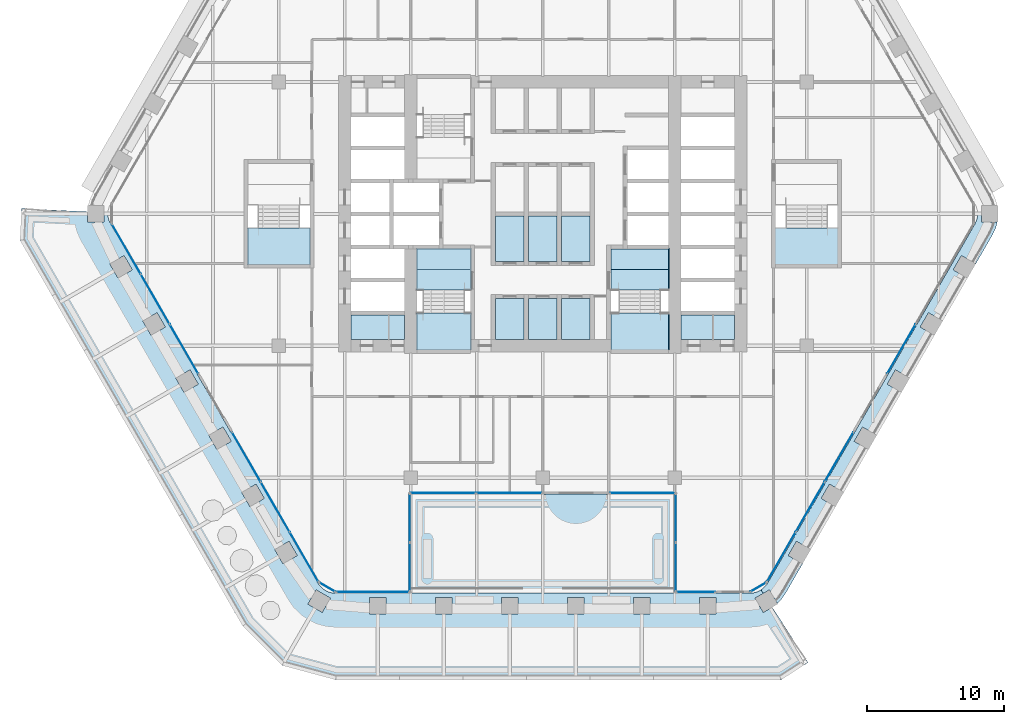
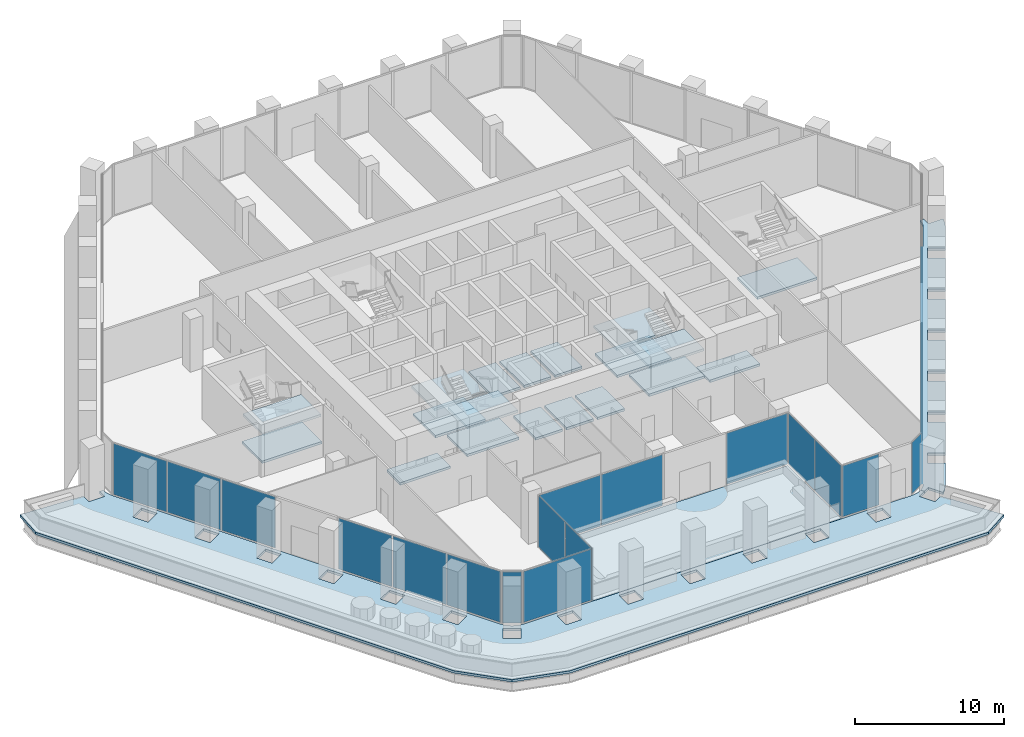
# One storey, part 13 of 27: 24 slabs, 21 plates, 16 elements without a shape of their own.
"""IFC4 building model written with IfcOpenShell, lengths in metres."""

import ifcopenshell
import ifcopenshell.guid

model = None  # the IFC model being written
_history = None  # IfcOwnerHistory: only IFC2X3 demands one
_inside = {}  # id of a spatial element -> (the spatial element, [elements in it])
_under = {}  # id of a project, library or spatial element -> (it, [spatial elements below it])
_declared = {}  # id of a project -> (the project, [libraries it declares])
_typed = {}  # id of a type object -> (the type object, [elements of that type])
_made_of = {}  # id of a material, layer set ... -> (it, [elements and type objects made of it])


def new_model(schema):
    """Start an empty IFC model of exactly this schema.

    Asked for "IFC4X3", IfcOpenShell would pick the latest addendum, in which some entities
    have other attributes; the version numbers below select the first issue.
    IFC2X3 requires an IfcOwnerHistory on every rooted entity: one is made here for all.
    """
    global model, _history
    if schema == "IFC4X3":
        model = ifcopenshell.file(schema_version=(4, 3, 0, 0))
    else:
        model = ifcopenshell.file(schema=schema)
    _inside.clear()
    _under.clear()
    _declared.clear()
    _typed.clear()
    _made_of.clear()
    _history = None
    if model.schema == "IFC2X3":
        org = make("IfcOrganization", Name="unknown")
        user = make(
            "IfcPersonAndOrganization",
            ThePerson=make("IfcPerson", FamilyName="unknown"),
            TheOrganization=org,
        )
        app = make(
            "IfcApplication",
            ApplicationDeveloper=org,
            Version="unknown",
            ApplicationFullName="unknown",
            ApplicationIdentifier="unknown",
        )
        _history = make(
            "IfcOwnerHistory",
            OwningUser=user,
            OwningApplication=app,
            ChangeAction="ADDED",
            CreationDate=0,
        )
    return model


def make(cls, **values):
    """One entity of the class cls with the attributes given. An attribute that is None is left unset."""
    return model.create_entity(
        cls, **{name: value for name, value in values.items() if value is not None}
    )


def rooted(cls, **values):
    """An entity with a GlobalId (a new one), such as an element, a storey or a relation."""
    return make(cls, GlobalId=ifcopenshell.guid.new(), OwnerHistory=_history, **values)


def si_unit(unit_type, name, prefix=None):
    """IfcSIUnit, for example si_unit("LENGTHUNIT", "METRE", prefix="MILLI")."""
    return make("IfcSIUnit", UnitType=unit_type, Prefix=prefix, Name=name)


def assignment(units):
    """IfcUnitAssignment: the units of a project."""
    return None if units is None else make("IfcUnitAssignment", Units=units)


def point(xyz):
    """IfcCartesianPoint."""
    return None if xyz is None else make("IfcCartesianPoint", Coordinates=xyz)


def direction(xyz):
    """IfcDirection."""
    return None if xyz is None else make("IfcDirection", DirectionRatios=xyz)


def frame(location, z_axis=None, x_axis=None):
    """IfcAxis2Placement3D, a coordinate frame: its origin and axes. An axis left out is left unset."""
    return make(
        "IfcAxis2Placement3D",
        Location=point(location),
        Axis=direction(z_axis),
        RefDirection=direction(x_axis),
    )


def frame_2d(location, x_axis=None):
    """IfcAxis2Placement2D, a coordinate frame in the plane: its origin and x axis."""
    return make(
        "IfcAxis2Placement2D", Location=point(location), RefDirection=direction(x_axis)
    )


def origin():
    """The frame at (0, 0, 0) with its axes left unset."""
    return frame((0.0, 0.0, 0.0))


def origin_2d():
    """The frame at (0, 0) in the plane with its x axis left unset."""
    return frame_2d((0.0, 0.0))


def place(relative_to, where):
    """IfcLocalPlacement: puts the frame where relative to a parent placement (None: the world)."""
    return make(
        "IfcLocalPlacement", PlacementRelTo=relative_to, RelativePlacement=where
    )


def context(
    kind, dimensions, precision=None, world=None, true_north=None, identifier=None
):
    """IfcGeometricRepresentationContext, for example the 3D "Model" context."""
    return make(
        "IfcGeometricRepresentationContext",
        ContextIdentifier=identifier,
        ContextType=kind,
        CoordinateSpaceDimension=dimensions,
        Precision=precision,
        WorldCoordinateSystem=world,
        TrueNorth=true_north,
    )


def subcontext(parent, identifier, kind, view, scale=None):
    """IfcGeometricRepresentationSubContext, for example "Body" below "Model"."""
    return make(
        "IfcGeometricRepresentationSubContext",
        ContextIdentifier=identifier,
        ContextType=kind,
        ParentContext=parent,
        TargetScale=scale,
        TargetView=view,
    )


def project(units=None, contexts=None):
    """IfcProject with its units and contexts."""
    return rooted(
        "IfcProject",
        Name="project",
        RepresentationContexts=contexts,
        UnitsInContext=assignment(units),
    )


def spatial(cls, under=None, at=None, **own):
    """A site, building, storey or space (cls), placed at a placement, below another one or the project."""
    s = rooted(cls, ObjectPlacement=at, **own)
    if under is not None:
        _under.setdefault(under.id(), (under, []))[1].append(s)
    return s


def polyline(points):
    """IfcPolyline through the points."""
    return make("IfcPolyline", Points=[point(p) for p in points])


def profile(cls, at=None, kind="AREA", **sizes):
    """A parametric profile (cls). Its sizes go by their IFC names, for example OverallWidth=200.0."""
    return make(cls, ProfileType=kind, Position=at, **sizes)


def rectangle(**sizes):
    """IfcRectangleProfileDef."""
    return profile("IfcRectangleProfileDef", **sizes)


def outline(outer, holes=None, kind="AREA"):
    """IfcArbitraryClosedProfileDef: a profile drawn as a closed curve; with holes, ...WithVoids."""
    if holes is None:
        return make("IfcArbitraryClosedProfileDef", ProfileType=kind, OuterCurve=outer)
    return make(
        "IfcArbitraryProfileDefWithVoids",
        ProfileType=kind,
        OuterCurve=outer,
        InnerCurves=holes,
    )


def extrude(swept, where, along, depth):
    """IfcExtrudedAreaSolid: the profile swept, set in the frame where, extruded along a direction by depth."""
    return make(
        "IfcExtrudedAreaSolid",
        SweptArea=swept,
        Position=where,
        ExtrudedDirection=direction(along),
        Depth=depth,
    )


def shape(context_of_items, identifier, shape_type, items):
    """IfcShapeRepresentation: the items that make up one representation, for example the "Body"."""
    return make(
        "IfcShapeRepresentation",
        ContextOfItems=context_of_items,
        RepresentationIdentifier=identifier,
        RepresentationType=shape_type,
        Items=items,
    )


def material(Name=None, Category=None):
    """IfcMaterial."""
    return make("IfcMaterial", Name=Name, Category=Category)


def layer(
    of_material, thickness, ventilated=None, Name=None, Category=None, Priority=None
):
    """IfcMaterialLayer: one layer of a wall or slab, of a material (None: an air gap)."""
    return make(
        "IfcMaterialLayer",
        Material=of_material,
        LayerThickness=thickness,
        IsVentilated=ventilated,
        Name=Name,
        Category=Category,
        Priority=Priority,
    )


def layer_set(layers, Name=None):
    """IfcMaterialLayerSet."""
    return make("IfcMaterialLayerSet", MaterialLayers=layers, LayerSetName=Name)


def made_of(thing, what):
    """Note that an element or type object is made of a material, layer set ...; save() writes the relation."""
    if what is not None:
        _made_of.setdefault(what.id(), (what, []))[1].append(thing)
    return thing


def type_object(cls, material=None, **own):
    """A type object (cls), such as IfcWallType, which elements share."""
    return made_of(rooted(cls, **own), material)


def element(
    cls,
    number,
    at=None,
    inside=None,
    cuts=None,
    type_object=None,
    material=None,
    context=None,
    identifier="Body",
    shape_type=None,
    held_by="IfcProductDefinitionShape",
    body=None,
    shapes=None,
    **own,
):
    """One element of the class cls, such as IfcWall. Its Tag is "e" and its number.

    at: its placement. inside: the storey or other place that contains it. cuts: it is an
    opening in that element (IfcRelVoidsElement). A single representation is given by context,
    identifier, shape_type and body (its items); several are given by shapes. held_by: the class
    of the entity that holds the representations. save() writes the other relations.
    """
    e = rooted(cls, Tag="e%d" % number, ObjectPlacement=at, **own)
    if body is not None:
        shapes = [shape(context, identifier, shape_type, body)]
    if shapes is not None:
        e.Representation = make(held_by, Representations=shapes)
    if inside is not None:
        _inside.setdefault(inside.id(), (inside, []))[1].append(e)
    if cuts is not None:
        rooted(
            "IfcRelVoidsElement", RelatingBuildingElement=cuts, RelatedOpeningElement=e
        )
    if type_object is not None:
        _typed.setdefault(type_object.id(), (type_object, []))[1].append(e)
    return made_of(e, material)


def aggregate(whole, parts):
    """IfcRelAggregates: a whole, such as a stair, and the parts it consists of."""
    return rooted("IfcRelAggregates", RelatingObject=whole, RelatedObjects=parts)


def save(model, path):
    """Write the relations noted so far, then the file.

    IfcRelAggregates (storeys below a building ...), IfcRelContainedInSpatialStructure (elements
    in a storey), IfcRelDefinesByType, IfcRelAssociatesMaterial and IfcRelDeclares: one each for
    every whole, place, type object, material and project.
    """
    for whole, parts in _under.values():
        aggregate(whole, parts)
    for where, things in _inside.values():
        rooted(
            "IfcRelContainedInSpatialStructure",
            RelatedElements=things,
            RelatingStructure=where,
        )
    for kind, things in _typed.values():
        rooted("IfcRelDefinesByType", RelatedObjects=things, RelatingType=kind)
    for what, things in _made_of.values():
        rooted("IfcRelAssociatesMaterial", RelatedObjects=things, RelatingMaterial=what)
    for by, libraries in _declared.values():
        rooted("IfcRelDeclares", RelatingContext=by, RelatedDefinitions=libraries)
    model.write(path)


model = new_model("IFC4")

# Units and contexts
model_context = context("Model", 3, precision=1e-05, world=origin(), true_north=direction((0.0, 1.0)))
body_context = subcontext(model_context, "Body", "Model", "MODEL_VIEW")
ifc_project = project(units=[si_unit("LENGTHUNIT", "METRE"), si_unit("AREAUNIT", "SQUARE_METRE"), si_unit("VOLUMEUNIT", "CUBIC_METRE"), si_unit("PLANEANGLEUNIT", "RADIAN"), si_unit("MASSUNIT", "GRAM", prefix="KILO")], contexts=[model_context])

# Site, building, storey
site_placement = place(None, origin())
site = spatial("IfcSite", under=ifc_project, at=site_placement, CompositionType="ELEMENT")
building_placement = place(site_placement, origin())
building = spatial("IfcBuilding", under=site, at=building_placement, Name="Kolab Exchange Tower", CompositionType="ELEMENT")
storey_placement = place(building_placement, frame((0.0, 0.0, 109.39990234375)))
storey = spatial("IfcBuildingStorey", under=building, at=storey_placement, Name="L21", CompositionType="ELEMENT", Elevation=109.39990234375)

# Slabs
ifc_material_1 = material(Name="Concrete C35/45", Category="concrete")
ifc_layer_1 = layer(ifc_material_1, 0.199951171875)
ifc_layer_set_1 = layer_set([ifc_layer_1], Name="Concrete C35/45")
slab_type_1 = type_object("IfcSlabType", Name="FLOOR SLAB 200", PredefinedType="FLOOR", material=ifc_layer_set_1)
slab_1_placement = place(storey_placement, frame((0.0, 0.0, -0.199951171875)))
element("IfcSlab", 1, at=slab_1_placement, inside=storey, type_object=slab_type_1, Name="slab/L21/floor/2", PredefinedType="FLOOR", context=body_context, shape_type="SweptSolid", body=[
    extrude(outline(polyline([(-10.050048828125, -9.14990234375), (-10.050048828125, -7.35009765625), (-13.949951171875, -7.35009765625), (-13.949951171875, -9.14990234375), (-10.050048828125, -9.14990234375)])), origin(), (0.0, 0.0, 1.0), 0.199951171875),
])
slab_2_placement = place(storey_placement, frame((0.0, 0.0, -0.199951171875)))
element("IfcSlab", 2, at=slab_2_placement, inside=storey, type_object=slab_type_1, Name="slab/L21/floor/4", PredefinedType="FLOOR", context=body_context, shape_type="SweptSolid", body=[
    extrude(outline(polyline([(10.050048828125, -9.14990234375), (13.949951171875, -9.14990234375), (13.949951171875, -7.35009765625), (10.050048828125, -7.35009765625), (10.050048828125, -9.14990234375)])), origin(), (0.0, 0.0, 1.0), 0.199951171875),
])
slab_3_placement = place(storey_placement, frame((0.0, 0.0, -0.199951171875)))
element("IfcSlab", 3, at=slab_3_placement, inside=storey, type_object=slab_type_1, Name="slab/L21/floor/6", PredefinedType="FLOOR", context=body_context, shape_type="SweptSolid", body=[
    extrude(outline(polyline([(-1.35009765625, -3.449951171875), (-1.35009765625, -0.14990234375), (-3.449951171875, -0.14990234375), (-3.449951171875, -3.449951171875), (-1.35009765625, -3.449951171875)])), origin(), (0.0, 0.0, 1.0), 0.199951171875),
])
slab_4_placement = place(storey_placement, frame((0.0, 0.0, -0.199951171875)))
element("IfcSlab", 4, at=slab_4_placement, inside=storey, type_object=slab_type_1, Name="slab/L21/floor/8", PredefinedType="FLOOR", context=body_context, shape_type="SweptSolid", body=[
    extrude(outline(polyline([(-1.050048828125, -0.14990234375), (-1.050048828125, -3.449951171875), (1.050048828125, -3.449951171875), (1.050048828125, -0.14990234375), (-1.050048828125, -0.14990234375)])), origin(), (0.0, 0.0, 1.0), 0.199951171875),
])
slab_5_placement = place(storey_placement, frame((0.0, 0.0, -0.199951171875)))
element("IfcSlab", 5, at=slab_5_placement, inside=storey, type_object=slab_type_1, Name="slab/L21/floor/10", PredefinedType="FLOOR", context=body_context, shape_type="SweptSolid", body=[
    extrude(outline(polyline([(1.35009765625, -3.449951171875), (3.449951171875, -3.449951171875), (3.449951171875, -0.14990234375), (1.35009765625, -0.14990234375), (1.35009765625, -3.449951171875)])), origin(), (0.0, 0.0, 1.0), 0.199951171875),
])
slab_6_placement = place(storey_placement, frame((0.0, 0.0, -0.199951171875)))
element("IfcSlab", 6, at=slab_6_placement, inside=storey, type_object=slab_type_1, Name="slab/L21/floor/14", PredefinedType="FLOOR", context=body_context, shape_type="SweptSolid", body=[
    extrude(outline(polyline([(-1.35009765625, -6.14990234375), (-3.449951171875, -6.14990234375), (-3.449951171875, -9.14990234375), (-1.35009765625, -9.14990234375), (-1.35009765625, -6.14990234375)])), origin(), (0.0, 0.0, 1.0), 0.199951171875),
])
slab_7_placement = place(storey_placement, frame((0.0, 0.0, -0.199951171875)))
element("IfcSlab", 7, at=slab_7_placement, inside=storey, type_object=slab_type_1, Name="slab/L21/floor/16", PredefinedType="FLOOR", context=body_context, shape_type="SweptSolid", body=[
    extrude(outline(polyline([(1.050048828125, -6.14990234375), (-1.050048828125, -6.14990234375), (-1.050048828125, -9.14990234375), (1.050048828125, -9.14990234375), (1.050048828125, -6.14990234375)])), origin(), (0.0, 0.0, 1.0), 0.199951171875),
])
slab_8_placement = place(storey_placement, frame((0.0, 0.0, -0.199951171875)))
element("IfcSlab", 8, at=slab_8_placement, inside=storey, type_object=slab_type_1, Name="slab/L21/floor/18", PredefinedType="FLOOR", context=body_context, shape_type="SweptSolid", body=[
    extrude(outline(polyline([(1.35009765625, -6.14990234375), (1.35009765625, -9.14990234375), (3.449951171875, -9.14990234375), (3.449951171875, -6.14990234375), (1.35009765625, -6.14990234375)])), origin(), (0.0, 0.0, 1.0), 0.199951171875),
])
slab_9_placement = place(storey_placement, frame((0.0, 0.0, -0.199951171875)))
element("IfcSlab", 9, at=slab_9_placement, inside=storey, type_object=slab_type_1, Name="slab/L21/floor/20", PredefinedType="FLOOR", context=body_context, shape_type="SweptSolid", body=[
    extrude(outline(polyline([(4.949951171875, -4.050048828125), (9.14990234375, -4.050048828125), (9.14990234375, -2.550048828125), (6.14990234375, -2.550048828125), (5.85009765625, -2.550048828125), (4.949951171875, -2.550048828125), (4.949951171875, -4.050048828125)])), origin(), (0.0, 0.0, 1.0), 0.199951171875),
])
slab_10_placement = place(storey_placement, frame((0.0, 0.0, -0.199951171875)))
element("IfcSlab", 10, at=slab_10_placement, inside=storey, type_object=slab_type_1, Name="slab/L21/floor/21", PredefinedType="FLOOR", context=body_context, shape_type="SweptSolid", body=[
    extrude(outline(polyline([(-9.14990234375, -2.550048828125), (-9.14990234375, -4.050048828125), (-5.25, -4.050048828125), (-5.25, -2.550048828125), (-7.25, -2.550048828125), (-7.550048828125, -2.550048828125), (-9.14990234375, -2.550048828125)])), origin(), (0.0, 0.0, 1.0), 0.199951171875),
])
ifc_layer_2 = layer(ifc_material_1, 0.199951171875)
ifc_layer_set_2 = layer_set([ifc_layer_2], Name="Concrete C35/45")
slab_type_2 = type_object("IfcSlabType", Name="LOGGIA SLAB 200", PredefinedType="FLOOR", material=ifc_layer_set_2)
slab_11_placement = place(storey_placement, frame((0.0, 0.0, -0.199951171875)))
element("IfcSlab", 11, at=slab_11_placement, inside=storey, type_object=slab_type_2, Name="slab/L21/loggia/2-0", PredefinedType="FLOOR", context=body_context, shape_type="SweptSolid", body=[
    extrude(outline(polyline([(17.365966796875, -28.02685546875), (17.666015625, -27.598388671875), (18.89990234375, -25.461181640625), (17.86083984375, -24.861083984375), (18.460693359375, -23.822021484375), (19.5, -24.421875), (21.300048828125, -21.30419921875), (20.2607421875, -20.704345703125), (20.86083984375, -19.6650390625), (21.89990234375, -20.264892578125), (23.699951171875, -17.147216796875), (22.660888671875, -16.54736328125), (23.2607421875, -15.508056640625), (24.300048828125, -16.108154296875), (26.10009765625, -12.990478515625), (25.060791015625, -12.390380859375), (25.660888671875, -11.35107421875), (26.699951171875, -11.951171875), (28.5, -8.83349609375), (27.460693359375, -8.2333984375), (28.060791015625, -7.1943359375), (29.10009765625, -7.794189453125), (30.89990234375, -4.676513671875), (29.86083984375, -4.076416015625), (30.460693359375, -3.037353515625), (31.5, -3.63720703125), (32.73388671875, -1.5), (32.955078125, -1.026123046875), (33.069091796875, -0.60009765625), (31.935791015625, -0.60009765625), (31.935791015625, 0.0), (31.635986328125, 0.0), (31.613037109375, -0.260498046875), (31.54541015625, -0.512939453125), (31.434814453125, -0.75), (16.366943359375, -26.848388671875), (16.217041015625, -27.062744140625), (16.0322265625, -27.24755859375), (15.880126953125, -27.35400390625), (16.046875, -27.61181640625), (16.487548828125, -27.357177734375), (17.05419921875, -28.338623046875), (17.365966796875, -28.02685546875)])), origin(), (0.0, 0.0, 1.0), 0.199951171875),
])

# Stair, slabs
ifc_material_2 = material(Name="Concrete C50/60", Category="concrete")
stair_type_1 = type_object("IfcStairType", Name="STAIR ST3 RISER 160.7", PredefinedType="DOUBLE_RETURN_STAIR", material=ifc_material_2)
stair_1_placement = place(storey_placement, origin())
stair_1 = element("IfcStair", 12, at=stair_1_placement, inside=storey, type_object=stair_type_1, Name="Stair 3", PredefinedType="DOUBLE_RETURN_STAIR")
ifc_layer_3 = layer(ifc_material_2, 0.199951171875)
ifc_layer_set_3 = layer_set([ifc_layer_3], Name="Concrete C50/60")
slab_type_3 = type_object("IfcSlabType", Name="STAIR LANDING 200", PredefinedType="LANDING", material=ifc_layer_set_3)
slab_12_placement = place(storey_placement, frame((0.0, 0.0, -0.199951171875)))
slab_12 = element("IfcSlab", 13, at=slab_12_placement, type_object=slab_type_3, Name="ST3 landing 1", PredefinedType="LANDING", context=body_context, shape_type="SweptSolid", body=[
    extrude(outline(polyline([(-9.14990234375, -5.550048828125), (-5.25, -5.550048828125), (-5.25, -4.050048828125), (-9.14990234375, -4.050048828125), (-9.14990234375, -5.550048828125)])), origin(), (0.0, 0.0, 1.0), 0.199951171875),
])
slab_13_placement = place(storey_placement, frame((0.0, 0.0, 0.925048828125)))
slab_13 = element("IfcSlab", 14, at=slab_13_placement, type_object=slab_type_3, Name="ST3 landing 2", PredefinedType="LANDING", context=body_context, shape_type="SweptSolid", body=[
    extrude(outline(polyline([(-9.2099609375, -9.909912109375), (-5.18994140625, -9.909912109375), (-5.18994140625, -7.22998046875), (-9.2099609375, -7.22998046875), (-9.2099609375, -9.909912109375)])), origin(), (0.0, 0.0, 1.0), 0.199951171875),
])
slab_14_placement = place(storey_placement, frame((0.0, 0.0, 2.050048828125)))
slab_14 = element("IfcSlab", 15, at=slab_14_placement, type_object=slab_type_3, Name="ST3 landing 3", PredefinedType="LANDING", context=body_context, shape_type="SweptSolid", body=[
    extrude(outline(polyline([(-9.2099609375, -5.550048828125), (-5.18994140625, -5.550048828125), (-5.18994140625, -2.489990234375), (-9.2099609375, -2.489990234375), (-9.2099609375, -5.550048828125)])), origin(), (0.0, 0.0, 1.0), 0.199951171875),
])
slab_15_placement = place(storey_placement, frame((0.0, 0.0, 3.175048828125)))
slab_15 = element("IfcSlab", 16, at=slab_15_placement, type_object=slab_type_3, Name="ST3 landing 4", PredefinedType="LANDING", context=body_context, shape_type="SweptSolid", body=[
    extrude(outline(polyline([(-9.14990234375, -9.909912109375), (-5.25, -9.909912109375), (-5.25, -7.22998046875), (-9.14990234375, -7.22998046875), (-9.14990234375, -9.909912109375)])), origin(), (0.0, 0.0, 1.0), 0.199951171875),
])
aggregate(stair_1, [slab_12, slab_13, slab_14, slab_15])

stair_type_2 = type_object("IfcStairType", Name="STAIR ST2 RISER 160.7", PredefinedType="DOUBLE_RETURN_STAIR", material=ifc_material_2)
stair_2_placement = place(storey_placement, origin())
stair_2 = element("IfcStair", 17, at=stair_2_placement, inside=storey, type_object=stair_type_2, Name="Stair 2", PredefinedType="DOUBLE_RETURN_STAIR")
slab_16_placement = place(storey_placement, frame((0.0, 0.0, -0.199951171875)))
slab_16 = element("IfcSlab", 18, at=slab_16_placement, type_object=slab_type_3, Name="ST2 landing 1", PredefinedType="LANDING", context=body_context, shape_type="SweptSolid", body=[
    extrude(outline(polyline([(4.949951171875, -5.550048828125), (9.14990234375, -5.550048828125), (9.14990234375, -4.050048828125), (4.949951171875, -4.050048828125), (4.949951171875, -5.550048828125)])), origin(), (0.0, 0.0, 1.0), 0.199951171875),
])
slab_17_placement = place(storey_placement, frame((0.0, 0.0, 0.925048828125)))
slab_17 = element("IfcSlab", 19, at=slab_17_placement, type_object=slab_type_3, Name="ST2 landing 2", PredefinedType="LANDING", context=body_context, shape_type="SweptSolid", body=[
    extrude(outline(polyline([(4.889892578125, -9.909912109375), (9.2099609375, -9.909912109375), (9.2099609375, -7.22998046875), (4.889892578125, -7.22998046875), (4.889892578125, -9.909912109375)])), origin(), (0.0, 0.0, 1.0), 0.199951171875),
])
slab_18_placement = place(storey_placement, frame((0.0, 0.0, 2.050048828125)))
slab_18 = element("IfcSlab", 20, at=slab_18_placement, type_object=slab_type_3, Name="ST2 landing 3", PredefinedType="LANDING", context=body_context, shape_type="SweptSolid", body=[
    extrude(outline(polyline([(4.889892578125, -5.550048828125), (9.2099609375, -5.550048828125), (9.2099609375, -2.489990234375), (4.889892578125, -2.489990234375), (4.889892578125, -5.550048828125)])), origin(), (0.0, 0.0, 1.0), 0.199951171875),
])
slab_19_placement = place(storey_placement, frame((0.0, 0.0, 3.175048828125)))
slab_19 = element("IfcSlab", 21, at=slab_19_placement, type_object=slab_type_3, Name="ST2 landing 4", PredefinedType="LANDING", context=body_context, shape_type="SweptSolid", body=[
    extrude(outline(polyline([(4.949951171875, -9.909912109375), (9.14990234375, -9.909912109375), (9.14990234375, -7.22998046875), (4.949951171875, -7.22998046875), (4.949951171875, -9.909912109375)])), origin(), (0.0, 0.0, 1.0), 0.199951171875),
])
aggregate(stair_2, [slab_16, slab_17, slab_18, slab_19])

# Stair, slab
stair_type_3 = type_object("IfcStairType", Name="STAIR ST4 RISER 160.7", PredefinedType="DOUBLE_RETURN_STAIR", material=ifc_material_2)
stair_3_placement = place(storey_placement, origin())
stair_3 = element("IfcStair", 22, at=stair_3_placement, inside=storey, type_object=stair_type_3, Name="Stair 4", PredefinedType="DOUBLE_RETURN_STAIR")
slab_20_placement = place(storey_placement, frame((0.0, 0.0, 0.925048828125)))
slab_20 = element("IfcSlab", 23, at=slab_20_placement, type_object=slab_type_3, Name="ST4 landing 2", PredefinedType="LANDING", context=body_context, shape_type="SweptSolid", body=[
    extrude(outline(polyline([(16.889892578125, -3.7099609375), (21.510009765625, -3.7099609375), (21.510009765625, -1.030029296875), (16.889892578125, -1.030029296875), (16.889892578125, -3.7099609375)])), origin(), (0.0, 0.0, 1.0), 0.199951171875),
])
aggregate(stair_3, [slab_20])

# Stair, slabs
stair_type_4 = type_object("IfcStairType", Name="STAIR ST5 RISER 160.7", PredefinedType="DOUBLE_RETURN_STAIR", material=ifc_material_2)
stair_4_placement = place(storey_placement, origin())
stair_4 = element("IfcStair", 24, at=stair_4_placement, inside=storey, type_object=stair_type_4, Name="Stair 5", PredefinedType="DOUBLE_RETURN_STAIR")
slab_21_placement = place(storey_placement, frame((0.0, 0.0, 0.925048828125)))
slab_21 = element("IfcSlab", 25, at=slab_21_placement, type_object=slab_type_3, Name="ST5 landing 2", PredefinedType="LANDING", context=body_context, shape_type="SweptSolid", body=[
    extrude(outline(polyline([(-21.510009765625, -3.7099609375), (-16.889892578125, -3.7099609375), (-16.889892578125, -1.030029296875), (-21.510009765625, -1.030029296875), (-21.510009765625, -3.7099609375)])), origin(), (0.0, 0.0, 1.0), 0.199951171875),
])
slab_22_placement = place(storey_placement, frame((0.0, 0.0, 3.175048828125)))
slab_22 = element("IfcSlab", 26, at=slab_22_placement, type_object=slab_type_3, Name="ST5 landing 4", PredefinedType="LANDING", context=body_context, shape_type="SweptSolid", body=[
    extrude(outline(polyline([(-21.449951171875, -3.7099609375), (-16.949951171875, -3.7099609375), (-16.949951171875, -1.030029296875), (-21.449951171875, -1.030029296875), (-21.449951171875, -3.7099609375)])), origin(), (0.0, 0.0, 1.0), 0.199951171875),
])
aggregate(stair_4, [slab_21, slab_22])

# Slabs
ifc_layer_4 = layer(ifc_material_1, 0.199951171875)
ifc_layer_set_4 = layer_set([ifc_layer_4], Name="Concrete C35/45")
slab_type_4 = type_object("IfcSlabType", Name="TERRACE SLAB 200 PLANTED", PredefinedType="ROOF", material=ifc_layer_set_4)
slab_23_placement = place(storey_placement, frame((0.0, 0.0, -0.199951171875)))
element("IfcSlab", 27, at=slab_23_placement, inside=storey, type_object=slab_type_4, Name="Roof terrace", PredefinedType="ROOF", context=body_context, shape_type="SweptSolid", body=[
    extrude(outline(polyline([(9.60009765625, -27.598388671875), (9.60009765625, -20.3984375), (-9.60009765625, -20.3984375), (-9.60009765625, -27.598388671875), (9.60009765625, -27.598388671875)])), origin(), (0.0, 0.0, 1.0), 0.199951171875),
])
slab_24_placement = place(storey_placement, frame((0.0, 0.0, -0.199951171875)))
element("IfcSlab", 28, at=slab_24_placement, inside=storey, type_object=slab_type_4, Name="Roof terrace", PredefinedType="ROOF", context=body_context, shape_type="SweptSolid", body=[
    extrude(outline(polyline([(-38.032470703125, -1.922607421875), (-38.032470703125, -1.9228515625), (-21.822998046875, -29.99853515625), (-21.82275390625, -29.99853515625), (-18.968017578125, -32.853515625), (-18.9677734375, -32.853515625), (-15.06787109375, -33.8984375), (17.35107421875, -33.8984375), (19.29541015625, -32.642333984375), (16.697998046875, -28.62158203125), (16.04833984375, -28.99658203125), (15.4482421875, -27.957275390625), (16.0458984375, -27.6123046875), (15.87939453125, -27.3544921875), (15.818115234375, -27.3974609375), (15.81787109375, -27.3974609375), (15.5810546875, -27.5078125), (15.5810546875, -27.508056640625), (15.580810546875, -27.508056640625), (15.32861328125, -27.57568359375), (15.328369140625, -27.57568359375), (15.328125, -27.57568359375), (15.068115234375, -27.598388671875), (15.06787109375, -27.598388671875), (-15.06787109375, -27.598388671875), (-15.068115234375, -27.598388671875), (-15.328125, -27.57568359375), (-15.328369140625, -27.57568359375), (-15.32861328125, -27.57568359375), (-15.580810546875, -27.508056640625), (-15.5810546875, -27.508056640625), (-15.5810546875, -27.5078125), (-15.81787109375, -27.3974609375), (-15.818115234375, -27.3974609375), (-16.031982421875, -27.24755859375), (-16.0322265625, -27.24755859375), (-16.0322265625, -27.247314453125), (-16.216796875, -27.062744140625), (-16.217041015625, -27.062744140625), (-16.217041015625, -27.0625), (-16.366943359375, -26.8486328125), (-16.366943359375, -26.848388671875), (-31.434814453125, -0.75), (-31.43505859375, -0.75), (-31.54541015625, -0.51318359375), (-31.54541015625, -0.512939453125), (-31.613037109375, -0.2607421875), (-31.613037109375, -0.260498046875), (-31.613037109375, -0.26025390625), (-31.635986328125, -0.000244140625), (-31.635986328125, 0.0), (-31.635986328125, 0.000244140625), (-31.62939453125, 0.07470703125), (-31.935791015625, 0.090087890625), (-31.935791015625, -0.60009765625), (-33.135986328125, -0.60009765625), (-33.135986328125, 0.150146484375), (-37.916748046875, 0.389404296875), (-37.916748046875, 0.38916015625), (-38.032470703125, -1.922607421875)]), holes=[polyline([(-12.60009765625, -27.8984375), (-11.39990234375, -27.8984375), (-11.39990234375, -29.098388671875), (-12.60009765625, -29.098388671875), (-12.60009765625, -27.8984375)]), polyline([(-17.087646484375, -28.396484375), (-16.487548828125, -27.357177734375), (-15.4482421875, -27.957275390625), (-16.04833984375, -28.99658203125), (-17.087646484375, -28.396484375)]), polyline([(-19.5, -24.421875), (-18.460693359375, -23.822021484375), (-17.86083984375, -24.861083984375), (-18.89990234375, -25.461181640625), (-19.5, -24.421875)]), polyline([(-21.89990234375, -20.264892578125), (-20.86083984375, -19.6650390625), (-20.2607421875, -20.704345703125), (-21.300048828125, -21.30419921875), (-21.89990234375, -20.264892578125)]), polyline([(-24.300048828125, -16.108154296875), (-23.2607421875, -15.508056640625), (-22.660888671875, -16.54736328125), (-23.699951171875, -17.147216796875), (-24.300048828125, -16.108154296875)]), polyline([(-26.699951171875, -11.951171875), (-25.660888671875, -11.35107421875), (-25.060791015625, -12.390380859375), (-26.10009765625, -12.990478515625), (-26.699951171875, -11.951171875)]), polyline([(-28.060791015625, -7.1943359375), (-27.460693359375, -8.2333984375), (-28.5, -8.83349609375), (-29.10009765625, -7.794189453125), (-28.060791015625, -7.1943359375)]), polyline([(-30.460693359375, -3.037353515625), (-29.86083984375, -4.076416015625), (-30.89990234375, -4.676513671875), (-31.5, -3.63720703125), (-30.460693359375, -3.037353515625)]), polyline([(-3.0, -27.8984375), (-1.800048828125, -27.8984375), (-1.800048828125, -29.098388671875), (-3.0, -29.098388671875), (-3.0, -27.8984375)]), polyline([(-7.800048828125, -27.8984375), (-6.60009765625, -27.8984375), (-6.60009765625, -29.098388671875), (-7.800048828125, -29.098388671875), (-7.800048828125, -27.8984375)]), polyline([(6.60009765625, -27.8984375), (7.800048828125, -27.8984375), (7.800048828125, -29.098388671875), (6.60009765625, -29.098388671875), (6.60009765625, -27.8984375)]), polyline([(1.800048828125, -27.8984375), (3.0, -27.8984375), (3.0, -29.098388671875), (1.800048828125, -29.098388671875), (1.800048828125, -27.8984375)]), polyline([(11.39990234375, -27.8984375), (12.60009765625, -27.8984375), (12.60009765625, -29.098388671875), (11.39990234375, -29.098388671875), (11.39990234375, -27.8984375)])]), origin(), (0.0, 0.0, 1.0), 0.199951171875),
])

# Curtain wall, plate
ifc_material_3 = material(Name="Aluminium EN AW-6063 T6", Category="aluminium")
curtain_wall_type = type_object("IfcCurtainWallType", Name="UNITISED LOWER MID ZONE CURTAIN WALL", PredefinedType="NOTDEFINED", material=ifc_material_3)
curtain_wall_1_placement = place(storey_placement, origin())
curtain_wall_1 = element("IfcCurtainWall", 29, at=curtain_wall_1_placement, inside=storey, type_object=curtain_wall_type, Name="cw/L21/F3-1", PredefinedType="NOTDEFINED")
ifc_material_4 = material(Name="Clear insulated glazing unit", Category="glass")
ifc_layer_5 = layer(ifc_material_4, 0.02587890625)
ifc_layer_set_5 = layer_set([ifc_layer_5], Name="Clear insulated glazing unit")
plate_type = type_object("IfcPlateType", Name="UNITISED LOWER MID ZONE GLASS PANEL 26", PredefinedType="CURTAIN_PANEL", material=ifc_layer_set_5)
plate_1_placement = place(storey_placement, frame((26.0947265625, -9.83935546875, 0.06005859375), z_axis=(0.0, 0.0, 1.0), x_axis=(-0.499999958358, -0.866025427826, 0.0)))
plate_1 = element("IfcPlate", 30, at=plate_1_placement, type_object=plate_type, Name="CW2 panel 3.1", PredefinedType="CURTAIN_PANEL", context=body_context, shape_type="SweptSolid", body=[
    extrude(rectangle(XDim=4.132568359375, YDim=0.02587890625, at=origin_2d()), origin(), (0.0, 0.0, 1.0), 4.179931640625),
])
aggregate(curtain_wall_1, [plate_1])

# Curtain wall, plates
curtain_wall_2_placement = place(storey_placement, origin())
curtain_wall_2 = element("IfcCurtainWall", 31, at=curtain_wall_2_placement, inside=storey, type_object=curtain_wall_type, Name="cw/L21/F3-2", PredefinedType="NOTDEFINED")
plate_2_placement = place(storey_placement, frame((21.568603515625, -17.67919921875, 0.06005859375), z_axis=(0.0, 0.0, 1.0), x_axis=(-0.500000017564, -0.866025393644, 0.0)))
plate_2 = element("IfcPlate", 32, at=plate_2_placement, type_object=plate_type, Name="CW2 panel 1.1", PredefinedType="CURTAIN_PANEL", context=body_context, shape_type="SweptSolid", body=[
    extrude(rectangle(XDim=4.132568359375, YDim=0.02587890625, at=origin_2d()), origin(), (0.0, 0.0, 1.0), 4.179931640625),
])
plate_3_placement = place(storey_placement, frame((19.464599609375, -21.322998046875, 0.06005859375), z_axis=(0.0, 0.0, 1.0), x_axis=(-0.500000017564, -0.866025393644, 0.0)))
plate_3 = element("IfcPlate", 33, at=plate_3_placement, type_object=plate_type, Name="CW2 panel 2.1", PredefinedType="CURTAIN_PANEL", context=body_context, shape_type="SweptSolid", body=[
    extrude(rectangle(XDim=4.16259765625, YDim=0.02587890625, at=origin_2d()), origin(), (0.0, 0.0, 1.0), 4.179931640625),
])
plate_4_placement = place(storey_placement, frame((17.36083984375, -24.967041015625, 0.06005859375), z_axis=(0.0, 0.0, 1.0), x_axis=(-0.500000017564, -0.866025393644, 0.0)))
plate_4 = element("IfcPlate", 34, at=plate_4_placement, type_object=plate_type, Name="CW2 panel 3.1", PredefinedType="CURTAIN_PANEL", context=body_context, shape_type="SweptSolid", body=[
    extrude(rectangle(XDim=4.132568359375, YDim=0.02587890625, at=origin_2d()), origin(), (0.0, 0.0, 1.0), 4.179931640625),
])
aggregate(curtain_wall_2, [plate_2, plate_3, plate_4])

# Curtain wall, plate
curtain_wall_3_placement = place(storey_placement, origin())
curtain_wall_3 = element("IfcCurtainWall", 35, at=curtain_wall_3_placement, inside=storey, type_object=curtain_wall_type, Name="cw/L21/F4-l-1", PredefinedType="NOTDEFINED")
plate_5_placement = place(storey_placement, frame((11.14404296875, -27.5185546875, 0.06005859375), z_axis=(0.0, 0.0, 1.0), x_axis=(-1.0, 0.0, 0.0)))
plate_5 = element("IfcPlate", 36, at=plate_5_placement, type_object=plate_type, Name="CW2 panel 1.1", PredefinedType="CURTAIN_PANEL", context=body_context, shape_type="SweptSolid", body=[
    extrude(rectangle(XDim=2.807861328125, YDim=0.02587890625, at=origin_2d()), origin(), (0.0, 0.0, 1.0), 4.179931640625),
])
aggregate(curtain_wall_3, [plate_5])

# Curtain wall, plates
curtain_wall_4_placement = place(storey_placement, origin())
curtain_wall_4 = element("IfcCurtainWall", 37, at=curtain_wall_4_placement, inside=storey, type_object=curtain_wall_type, Name="cw/L21/F4-rl-1", PredefinedType="NOTDEFINED")
plate_6_placement = place(storey_placement, frame((9.679931640625, -25.703369140625, 0.06005859375), z_axis=(0.0, 0.0, 1.0), x_axis=(0.0, 1.0, 0.0)))
plate_6 = element("IfcPlate", 38, at=plate_6_placement, type_object=plate_type, Name="CW2 panel 1.1", PredefinedType="CURTAIN_PANEL", context=body_context, shape_type="SweptSolid", body=[
    extrude(rectangle(XDim=3.510009765625, YDim=0.02587890625, at=origin_2d()), origin(), (0.0, 0.0, 1.0), 4.179931640625),
])
plate_7_placement = place(storey_placement, frame((9.679931640625, -22.133544921875, 0.06005859375), z_axis=(0.0, 0.0, 1.0), x_axis=(0.0, 1.0, 0.0)))
plate_7 = element("IfcPlate", 39, at=plate_7_placement, type_object=plate_type, Name="CW2 panel 2.1", PredefinedType="CURTAIN_PANEL", context=body_context, shape_type="SweptSolid", body=[
    extrude(rectangle(XDim=3.510009765625, YDim=0.02587890625, at=origin_2d()), origin(), (0.0, 0.0, 1.0), 4.179931640625),
])
aggregate(curtain_wall_4, [plate_6, plate_7])

# Curtain wall, plate
curtain_wall_5_placement = place(storey_placement, origin())
curtain_wall_5 = element("IfcCurtainWall", 40, at=curtain_wall_5_placement, inside=storey, type_object=curtain_wall_type, Name="cw/L21/F4-back-1", PredefinedType="NOTDEFINED")
plate_8_placement = place(storey_placement, frame((7.260009765625, -20.318359375, 0.06005859375), z_axis=(0.0, 0.0, 1.0), x_axis=(-1.0, 0.0, 0.0)))
plate_8 = element("IfcPlate", 41, at=plate_8_placement, type_object=plate_type, Name="CW2 panel 1.1", PredefinedType="CURTAIN_PANEL", context=body_context, shape_type="SweptSolid", body=[
    extrude(rectangle(XDim=4.719970703125, YDim=0.02587890625, at=origin_2d()), origin(), (0.0, 0.0, 1.0), 4.179931640625),
])
aggregate(curtain_wall_5, [plate_8])

# Curtain wall, plates
curtain_wall_6_placement = place(storey_placement, origin())
curtain_wall_6 = element("IfcCurtainWall", 42, at=curtain_wall_6_placement, inside=storey, type_object=curtain_wall_type, Name="cw/L21/F4-back-2", PredefinedType="NOTDEFINED")
plate_9_placement = place(storey_placement, frame((-2.43505859375, -20.318359375, 0.06005859375), z_axis=(0.0, 0.0, 1.0), x_axis=(-1.0, 0.0, 0.0)))
plate_9 = element("IfcPlate", 43, at=plate_9_placement, type_object=plate_type, Name="CW2 panel 1.1", PredefinedType="CURTAIN_PANEL", context=body_context, shape_type="SweptSolid", body=[
    extrude(rectangle(XDim=4.75, YDim=0.02587890625, at=origin_2d()), origin(), (0.0, 0.0, 1.0), 4.179931640625),
])
plate_10_placement = place(storey_placement, frame((-7.2451171875, -20.318359375, 0.06005859375), z_axis=(0.0, 0.0, 1.0), x_axis=(-1.0, 0.0, 0.0)))
plate_10 = element("IfcPlate", 44, at=plate_10_placement, type_object=plate_type, Name="CW2 panel 2.1", PredefinedType="CURTAIN_PANEL", context=body_context, shape_type="SweptSolid", body=[
    extrude(rectangle(XDim=4.75, YDim=0.02587890625, at=origin_2d()), origin(), (0.0, 0.0, 1.0), 4.179931640625),
])
aggregate(curtain_wall_6, [plate_9, plate_10])

curtain_wall_7_placement = place(storey_placement, origin())
curtain_wall_7 = element("IfcCurtainWall", 45, at=curtain_wall_7_placement, inside=storey, type_object=curtain_wall_type, Name="cw/L21/F4-rr-1", PredefinedType="NOTDEFINED")
plate_11_placement = place(storey_placement, frame((-9.679931640625, -22.133544921875, 0.06005859375), z_axis=(0.0, 0.0, 1.0), x_axis=(0.0, -1.0, 0.0)))
plate_11 = element("IfcPlate", 46, at=plate_11_placement, type_object=plate_type, Name="CW2 panel 1.1", PredefinedType="CURTAIN_PANEL", context=body_context, shape_type="SweptSolid", body=[
    extrude(rectangle(XDim=3.510009765625, YDim=0.02587890625, at=origin_2d()), origin(), (0.0, 0.0, 1.0), 4.179931640625),
])
plate_12_placement = place(storey_placement, frame((-9.679931640625, -25.703369140625, 0.06005859375), z_axis=(0.0, 0.0, 1.0), x_axis=(0.0, -1.0, 0.0)))
plate_12 = element("IfcPlate", 47, at=plate_12_placement, type_object=plate_type, Name="CW2 panel 2.1", PredefinedType="CURTAIN_PANEL", context=body_context, shape_type="SweptSolid", body=[
    extrude(rectangle(XDim=3.510009765625, YDim=0.02587890625, at=origin_2d()), origin(), (0.0, 0.0, 1.0), 4.179931640625),
])
aggregate(curtain_wall_7, [plate_11, plate_12])

# Curtain wall, plate
curtain_wall_8_placement = place(storey_placement, origin())
curtain_wall_8 = element("IfcCurtainWall", 48, at=curtain_wall_8_placement, inside=storey, type_object=curtain_wall_type, Name="cw/L21/F4-r-1", PredefinedType="NOTDEFINED")
plate_13_placement = place(storey_placement, frame((-12.3740234375, -27.5185546875, 0.06005859375), z_axis=(0.0, 0.0, 1.0), x_axis=(-1.0, 0.0, 0.0)))
plate_13 = element("IfcPlate", 49, at=plate_13_placement, type_object=plate_type, Name="CW2 panel 1.1", PredefinedType="CURTAIN_PANEL", context=body_context, shape_type="SweptSolid", body=[
    extrude(rectangle(XDim=5.26806640625, YDim=0.02587890625, at=origin_2d()), origin(), (0.0, 0.0, 1.0), 4.179931640625),
])
aggregate(curtain_wall_8, [plate_13])

# Curtain wall, plates
curtain_wall_9_placement = place(storey_placement, origin())
curtain_wall_9 = element("IfcCurtainWall", 50, at=curtain_wall_9_placement, inside=storey, type_object=curtain_wall_type, Name="cw/L21/F5-1", PredefinedType="NOTDEFINED")
plate_14_placement = place(storey_placement, frame((-17.36083984375, -24.967041015625, 0.06005859375), z_axis=(0.0, 0.0, 1.0), x_axis=(-0.500000017564, 0.866025393644, 0.0)))
plate_14 = element("IfcPlate", 51, at=plate_14_placement, type_object=plate_type, Name="CW2 panel 1.1", PredefinedType="CURTAIN_PANEL", context=body_context, shape_type="SweptSolid", body=[
    extrude(rectangle(XDim=4.132568359375, YDim=0.02587890625, at=origin_2d()), origin(), (0.0, 0.0, 1.0), 4.179931640625),
])
plate_15_placement = place(storey_placement, frame((-19.464599609375, -21.322998046875, 0.06005859375), z_axis=(0.0, 0.0, 1.0), x_axis=(-0.500000017564, 0.866025393644, 0.0)))
plate_15 = element("IfcPlate", 52, at=plate_15_placement, type_object=plate_type, Name="CW2 panel 2.1", PredefinedType="CURTAIN_PANEL", context=body_context, shape_type="SweptSolid", body=[
    extrude(rectangle(XDim=4.16259765625, YDim=0.02587890625, at=origin_2d()), origin(), (0.0, 0.0, 1.0), 4.179931640625),
])
plate_16_placement = place(storey_placement, frame((-21.568603515625, -17.67919921875, 0.06005859375), z_axis=(0.0, 0.0, 1.0), x_axis=(-0.500000017564, 0.866025393644, 0.0)))
plate_16 = element("IfcPlate", 53, at=plate_16_placement, type_object=plate_type, Name="CW2 panel 3.1", PredefinedType="CURTAIN_PANEL", context=body_context, shape_type="SweptSolid", body=[
    extrude(rectangle(XDim=4.132568359375, YDim=0.02587890625, at=origin_2d()), origin(), (0.0, 0.0, 1.0), 4.179931640625),
])
aggregate(curtain_wall_9, [plate_14, plate_15, plate_16])

curtain_wall_10_placement = place(storey_placement, origin())
curtain_wall_10 = element("IfcCurtainWall", 54, at=curtain_wall_10_placement, inside=storey, type_object=curtain_wall_type, Name="cw/L21/F5-2", PredefinedType="NOTDEFINED")
plate_17_placement = place(storey_placement, frame((-26.0947265625, -9.83935546875, 0.06005859375), z_axis=(0.0, 0.0, 1.0), x_axis=(-0.499999958358, 0.866025427826, 0.0)))
plate_17 = element("IfcPlate", 55, at=plate_17_placement, type_object=plate_type, Name="CW2 panel 1.1", PredefinedType="CURTAIN_PANEL", context=body_context, shape_type="SweptSolid", body=[
    extrude(rectangle(XDim=4.132568359375, YDim=0.02587890625, at=origin_2d()), origin(), (0.0, 0.0, 1.0), 4.179931640625),
])
plate_18_placement = place(storey_placement, frame((-28.19873046875, -6.1953125, 0.06005859375), z_axis=(0.0, 0.0, 1.0), x_axis=(-0.499999958358, 0.866025427826, 0.0)))
plate_18 = element("IfcPlate", 56, at=plate_18_placement, type_object=plate_type, Name="CW2 panel 2.1", PredefinedType="CURTAIN_PANEL", context=body_context, shape_type="SweptSolid", body=[
    extrude(rectangle(XDim=4.16259765625, YDim=0.02587890625, at=origin_2d()), origin(), (0.0, 0.0, 1.0), 4.179931640625),
])
plate_19_placement = place(storey_placement, frame((-30.302490234375, -2.551513671875, 0.06005859375), z_axis=(0.0, 0.0, 1.0), x_axis=(-0.499999958358, 0.866025427826, 0.0)))
plate_19 = element("IfcPlate", 57, at=plate_19_placement, type_object=plate_type, Name="CW2 panel 3.1", PredefinedType="CURTAIN_PANEL", context=body_context, shape_type="SweptSolid", body=[
    extrude(rectangle(XDim=4.132568359375, YDim=0.02587890625, at=origin_2d()), origin(), (0.0, 0.0, 1.0), 4.179931640625),
])
aggregate(curtain_wall_10, [plate_17, plate_18, plate_19])

# Curtain wall, plate
curtain_wall_11_placement = place(storey_placement, origin())
curtain_wall_11 = element("IfcCurtainWall", 58, at=curtain_wall_11_placement, inside=storey, type_object=curtain_wall_type, Name="cw/L21/F3F4-corner", PredefinedType="NOTDEFINED")
plate_20_placement = place(storey_placement, frame((15.682861328125, -27.16357421875, 0.06005859375), z_axis=(0.0, 0.0, 1.0), x_axis=(-0.866025390869, -0.50000002237, 0.0)))
plate_20 = element("IfcPlate", 59, at=plate_20_placement, type_object=plate_type, Name="CW2 panel 1.1", PredefinedType="CURTAIN_PANEL", context=body_context, shape_type="SweptSolid", body=[
    extrude(rectangle(XDim=1.300048828125, YDim=0.02587890625, at=origin_2d()), origin(), (0.0, 0.0, 1.0), 4.179931640625),
])
aggregate(curtain_wall_11, [plate_20])

curtain_wall_12_placement = place(storey_placement, origin())
curtain_wall_12 = element("IfcCurtainWall", 60, at=curtain_wall_12_placement, inside=storey, type_object=curtain_wall_type, Name="cw/L21/F4F5-corner", PredefinedType="NOTDEFINED")
plate_21_placement = place(storey_placement, frame((-15.682861328125, -27.16357421875, 0.06005859375), z_axis=(0.0, 0.0, 1.0), x_axis=(-0.866025390869, 0.50000002237, 0.0)))
plate_21 = element("IfcPlate", 61, at=plate_21_placement, type_object=plate_type, Name="CW2 panel 1.1", PredefinedType="CURTAIN_PANEL", context=body_context, shape_type="SweptSolid", body=[
    extrude(rectangle(XDim=1.300048828125, YDim=0.02587890625, at=origin_2d()), origin(), (0.0, 0.0, 1.0), 4.179931640625),
])
aggregate(curtain_wall_12, [plate_21])

save(model, "model.ifc")
